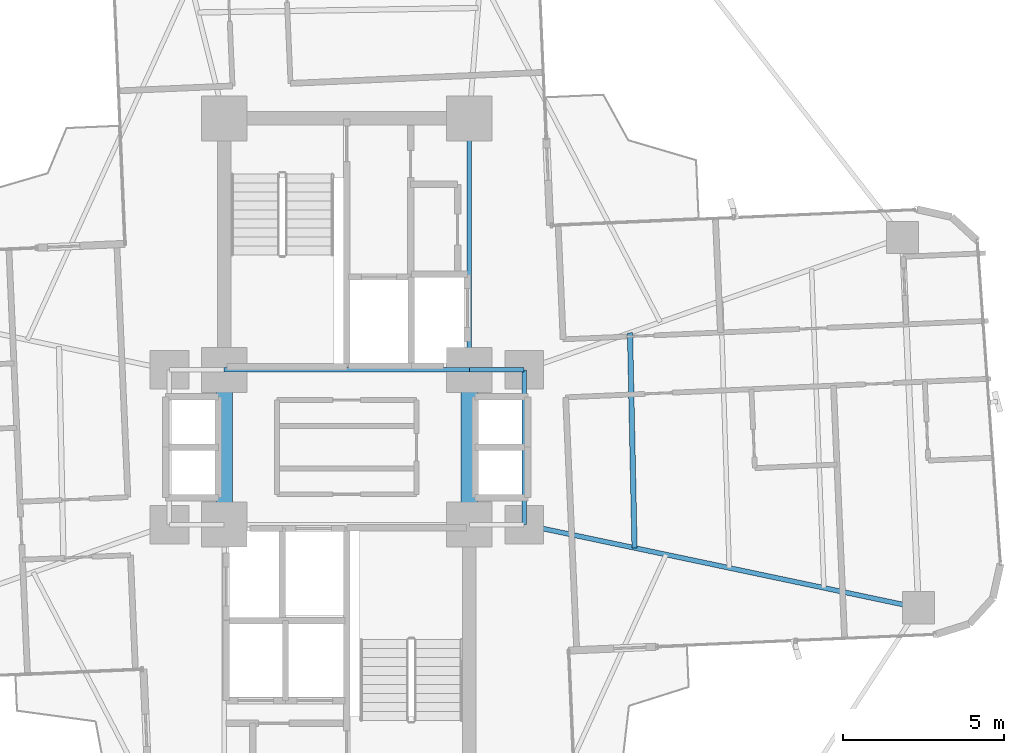
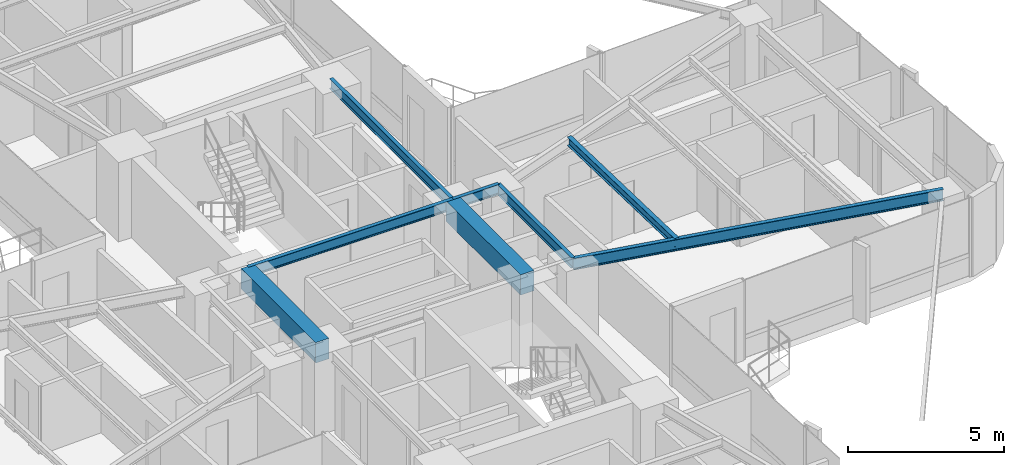
# One storey, part 12 of 26: 8 beams.
"""IFC4 building model written with IfcOpenShell, lengths in metres."""

from ifc_helpers import new_model, si_unit, direction, frame, origin, origin_2d, place, context, subcontext, project, spatial, rectangle, i_section, extrude, source, transform, mapped, material, material_profile, profile_set, type_object, element, save


model = new_model("IFC4")

# Units and contexts
model_context = context("Model", 3, precision=1e-05, world=origin(), true_north=direction((0.0, 1.0)))
body_context = subcontext(model_context, "Body", "Model", "MODEL_VIEW")
ifc_project = project(units=[si_unit("LENGTHUNIT", "METRE"), si_unit("AREAUNIT", "SQUARE_METRE"), si_unit("VOLUMEUNIT", "CUBIC_METRE"), si_unit("PLANEANGLEUNIT", "RADIAN"), si_unit("MASSUNIT", "GRAM", prefix="KILO")], contexts=[model_context])

# Site, building, storey
site_placement = place(None, origin())
site = spatial("IfcSite", under=ifc_project, at=site_placement, CompositionType="ELEMENT")
building_placement = place(site_placement, origin())
building = spatial("IfcBuilding", under=site, at=building_placement, Name="Sahyath Konkavel Grand Hotel", CompositionType="ELEMENT")
storey_placement = place(building_placement, frame((0.0, 0.0, 128.199951171875)))
storey = spatial("IfcBuildingStorey", under=building, at=storey_placement, Name="L35", CompositionType="ELEMENT", Elevation=128.199951171875)

# Beams
ifc_material_1 = material(Name="Steel E350", Category="steel")
ifc_material_profile_1 = material_profile(ifc_material_1, i_section(OverallWidth=0.139892578125, OverallDepth=0.39990234375, WebThickness=0.0087890625, FlangeThickness=0.01611328125, FilletRadius=0.013916015625, at=origin_2d()), Name="ISMB 400")
ifc_profile_set_1 = profile_set([ifc_material_profile_1], Name="Steel E350")
beam_type_1 = type_object("IfcBeamType", Name="BM-ISMB400", PredefinedType="BEAM", material=ifc_profile_set_1)
shared_shape_1 = source(origin(), body_context, "Body", "SweptSolid", [
    extrude(i_section(OverallWidth=0.139892578125, OverallDepth=0.39990234375, WebThickness=0.0087890625, FlangeThickness=0.01611328125, FilletRadius=0.013916015625, at=origin_2d()), origin(), (0.0, 0.0, 1.0), 7.60009765625),
])
beam_1_placement = place(storey_placement, frame((-3.800048828125, 2.39990234375, 2.91015625), z_axis=(1.0, 0.0, 0.0), x_axis=(0.0, 1.0, 0.0)))
element("IfcBeam", 1, at=beam_1_placement, inside=storey, type_object=beam_type_1, Name="str:bm:L35:NC-S", PredefinedType="BEAM", context=body_context, shape_type="MappedRepresentation", body=[
    mapped(shared_shape_1, transform((0.0, 0.0, 0.0), scale=1.0)),
])
shared_shape_2 = source(origin(), body_context, "Body", "SweptSolid", [
    extrude(i_section(OverallWidth=0.139892578125, OverallDepth=0.39990234375, WebThickness=0.0087890625, FlangeThickness=0.01611328125, FilletRadius=0.013916015625, at=origin_2d()), origin(), (0.0, 0.0, 1.0), 7.800048828125),
])
beam_2_placement = place(storey_placement, frame((3.800048828125, 2.39990234375, 2.91015625), z_axis=(0.0, 1.0, 0.0), x_axis=(-1.0, 0.0, 0.0)))
element("IfcBeam", 2, at=beam_2_placement, inside=storey, type_object=beam_type_1, Name="str:bm:L35:NC-E", PredefinedType="BEAM", context=body_context, shape_type="MappedRepresentation", body=[
    mapped(shared_shape_2, transform((0.0, 0.0, 0.0), scale=1.0)),
])
shared_shape_3 = source(origin(), body_context, "Body", "SweptSolid", [
    extrude(i_section(OverallWidth=0.139892578125, OverallDepth=0.39990234375, WebThickness=0.0087890625, FlangeThickness=0.01611328125, FilletRadius=0.013916015625, at=origin_2d()), origin(), (0.0, 0.0, 1.0), 1.699951171875),
])
beam_3_placement = place(storey_placement, frame((3.800048828125, 2.39990234375, 2.91015625), z_axis=(1.0, 0.0, 0.0), x_axis=(0.0, 1.0, 0.0)))
element("IfcBeam", 3, at=beam_3_placement, inside=storey, type_object=beam_type_1, Name="str:bm:L35:HB-NE", PredefinedType="BEAM", context=body_context, shape_type="MappedRepresentation", body=[
    mapped(shared_shape_3, transform((0.0, 0.0, 0.0), scale=1.0)),
])
shared_shape_4 = source(origin(), body_context, "Body", "SweptSolid", [
    extrude(i_section(OverallWidth=0.139892578125, OverallDepth=0.39990234375, WebThickness=0.0087890625, FlangeThickness=0.01611328125, FilletRadius=0.013916015625, at=origin_2d()), origin(), (0.0, 0.0, 1.0), 4.7998046875),
])
beam_4_placement = place(storey_placement, frame((5.5, -2.39990234375, 2.91015625), z_axis=(0.0, 1.0, 0.0), x_axis=(-1.0, 0.0, 0.0)))
element("IfcBeam", 4, at=beam_4_placement, inside=storey, type_object=beam_type_1, Name="str:bm:L35:HB-E", PredefinedType="BEAM", context=body_context, shape_type="MappedRepresentation", body=[
    mapped(shared_shape_4, transform((0.0, 0.0, 0.0), scale=1.0)),
])
ifc_material_2 = material(Name="Concrete C50/60", Category="concrete")
ifc_material_profile_2 = material_profile(ifc_material_2, rectangle(XDim=0.5, YDim=0.800048828125, at=origin_2d()), Name="RC 500x800")
ifc_profile_set_2 = profile_set([ifc_material_profile_2], Name="Concrete C50/60")
beam_type_2 = type_object("IfcBeamType", Name="BM-CB500x800", PredefinedType="LINTEL", material=ifc_profile_set_2)
shared_shape_5 = source(origin(), body_context, "Body", "SweptSolid", [
    extrude(rectangle(XDim=0.5, YDim=0.800048828125, at=origin_2d()), origin(), (0.0, 0.0, 1.0), 4.7998046875),
])
for number, where, z_axis, x_axis, name in (
    (5, (-3.800048828125, -2.39990234375, 2.7099609375), (0.0, 1.0, 0.0), (-1.0, 0.0, 0.0), "L35 Split-Core Coupling Beam West"),
    (6, (3.800048828125, -2.39990234375, 2.7099609375), (0.0, 1.0, 0.0), (-1.0, 0.0, 0.0), "L35 Split-Core Coupling Beam East"),
):
    element("IfcBeam", number, at=place(storey_placement, frame(where, z_axis=z_axis, x_axis=x_axis)), inside=storey, type_object=beam_type_2, Name=name, PredefinedType="LINTEL", context=body_context, shape_type="MappedRepresentation", body=[
        mapped(shared_shape_5, transform((0.0, 0.0, 0.0), scale=1.0)),
    ])
ifc_material_profile_3 = material_profile(ifc_material_1, i_section(OverallWidth=0.14990234375, OverallDepth=0.449951171875, WebThickness=0.009521484375, FlangeThickness=0.017333984375, FilletRadius=0.014892578125, at=origin_2d()), Name="ISMB 450")
ifc_profile_set_3 = profile_set([ifc_material_profile_3], Name="Steel E350")
beam_type_3 = type_object("IfcBeamType", Name="BM-ISMB450", PredefinedType="BEAM", material=ifc_profile_set_3)
shared_shape_6 = source(origin(), body_context, "Body", "SweptSolid", [
    extrude(i_section(OverallWidth=0.14990234375, OverallDepth=0.449951171875, WebThickness=0.009521484375, FlangeThickness=0.017333984375, FilletRadius=0.014892578125, at=origin_2d()), origin(), (0.0, 0.0, 1.0), 12.50341796875),
])
beam_5_placement = place(storey_placement, frame((5.5, -2.39990234375, 2.885009765625), z_axis=(0.978457911392, -0.206446398937, 0.0), x_axis=(0.206446398937, 0.978457911392, 0.0)))
element("IfcBeam", 7, at=beam_5_placement, inside=storey, type_object=beam_type_3, Name="L35 Cruciform Radial Girder EA", PredefinedType="BEAM", context=body_context, shape_type="MappedRepresentation", body=[
    mapped(shared_shape_6, transform((0.0, 0.0, 0.0), scale=1.0)),
])
ifc_material_profile_4 = material_profile(ifc_material_1, i_section(OverallWidth=0.1650390625, OverallDepth=0.324951171875, WebThickness=0.007080078125, FlangeThickness=0.009765625, FilletRadius=0.014892578125, at=origin_2d()), Name="ISLB 325")
ifc_profile_set_4 = profile_set([ifc_material_profile_4], Name="Steel E350")
beam_type_4 = type_object("IfcBeamType", Name="BM-ISLB325", PredefinedType="BEAM", material=ifc_profile_set_4)
shared_shape_7 = source(origin(), body_context, "Body", "SweptSolid", [
    extrude(i_section(OverallWidth=0.1650390625, OverallDepth=0.324951171875, WebThickness=0.007080078125, FlangeThickness=0.009765625, FilletRadius=0.014892578125, at=origin_2d()), origin(), (0.0, 0.0, 1.0), 6.674560546875),
])
beam_6_placement = place(storey_placement, frame((8.925537109375, -3.122802734375, 2.947509765625), z_axis=(-0.021032188543, 0.999778799058, 0.0), x_axis=(-0.999778799058, -0.021032188543, 0.0)))
element("IfcBeam", 8, at=beam_6_placement, inside=storey, type_object=beam_type_4, Name="L35 Secondary Floor Beam E-1", PredefinedType="BEAM", context=body_context, shape_type="MappedRepresentation", body=[
    mapped(shared_shape_7, transform((0.0, 0.0, 0.0), scale=1.0)),
])

save(model, "model.ifc")
